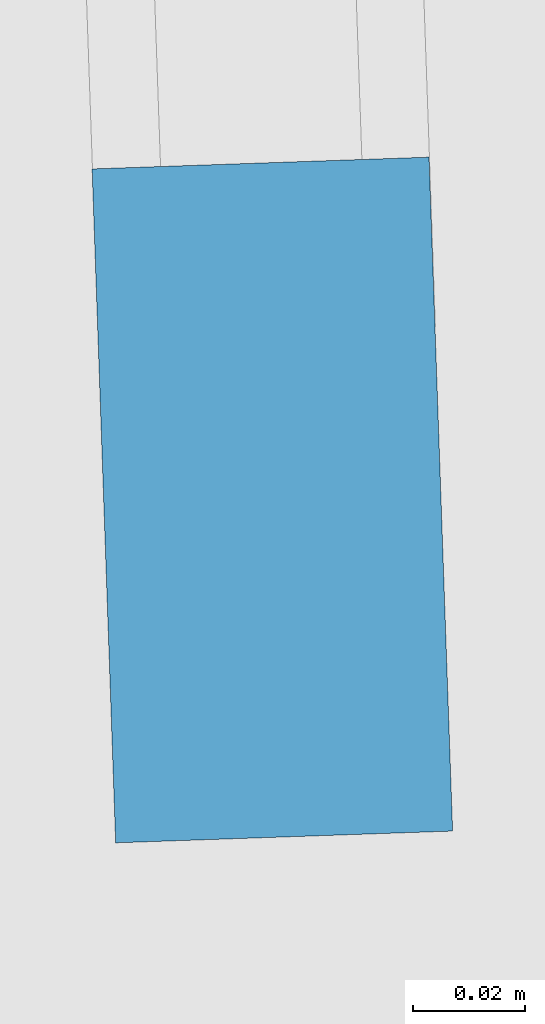
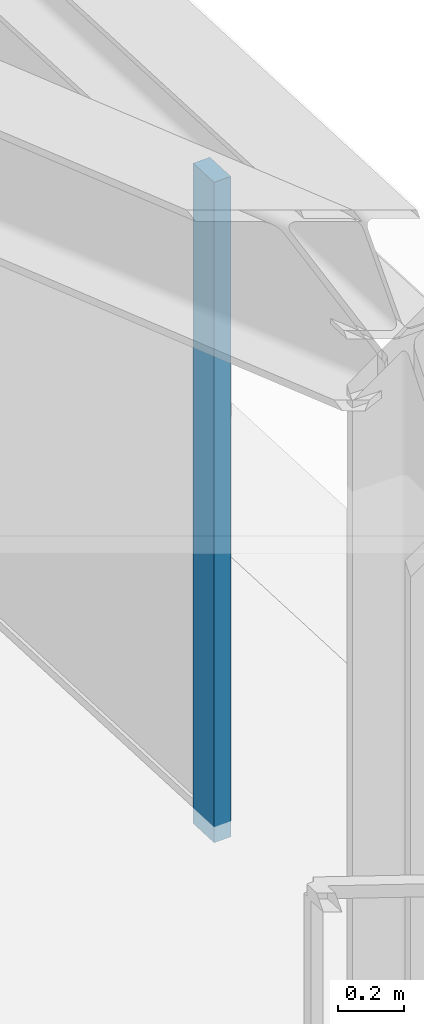
# One storey, part 6 of 13: 1 member, 1 element without a shape of its own.
"""IFC4 building model written with IfcOpenShell, lengths in metres."""

from ifc_helpers import new_model, si_unit, direction, frame, origin, origin_2d, place, context, subcontext, project, spatial, rectangle, extrude, material, layer, layer_set, material_profile, profile_set, type_object, element, aggregate, save


model = new_model("IFC4")

# Units and contexts
model_context = context("Model", 3, precision=1e-05, world=origin(), true_north=direction((0.0, 1.0)))
body_context = subcontext(model_context, "Body", "Model", "MODEL_VIEW")
ifc_project = project(units=[si_unit("LENGTHUNIT", "METRE"), si_unit("AREAUNIT", "SQUARE_METRE"), si_unit("VOLUMEUNIT", "CUBIC_METRE"), si_unit("PLANEANGLEUNIT", "RADIAN"), si_unit("MASSUNIT", "GRAM", prefix="KILO")], contexts=[model_context])

# Site, building, storey
site_placement = place(None, origin())
site = spatial("IfcSite", under=ifc_project, at=site_placement, CompositionType="ELEMENT")
building_placement = place(site_placement, origin())
building = spatial("IfcBuilding", under=site, at=building_placement, Name="Rocaltana Carrier Exchange", CompositionType="ELEMENT")
storey_placement = place(building_placement, frame((0.0, 0.0, 202.719970703125)))
storey = spatial("IfcBuildingStorey", under=building, at=storey_placement, Name="L64", CompositionType="ELEMENT", Elevation=202.719970703125)

# Curtain wall, member
ifc_material_1 = material(Name="Aluminium 6063-T6", Category="aluminium")
ifc_layer = layer(ifc_material_1, 0.1201171875)
ifc_layer_set = layer_set([ifc_layer], Name="Aluminium 6063-T6")
curtain_wall_type = type_object("IfcCurtainWallType", Name="High-Altitude Thermal Curtain Wall CW-05", PredefinedType="NOTDEFINED", material=ifc_layer_set)
curtain_wall_placement = place(storey_placement, origin())
curtain_wall = element("IfcCurtainWall", 1, at=curtain_wall_placement, inside=storey, type_object=curtain_wall_type, Name="L64 CW-05 Run CW-L64-F1S1", PredefinedType="NOTDEFINED")
ifc_material_2 = material(Name="Aluminium 6063-T6", Category="aluminium")
ifc_material_profile = material_profile(ifc_material_2, rectangle(XDim=0.06005859375, YDim=0.1201171875, at=origin_2d()), Name="AL-60X120")
ifc_profile_set = profile_set([ifc_material_profile], Name="Aluminium 6063-T6")
member_type = type_object("IfcMemberType", Name="CW-05 Mullion AL-60X120", PredefinedType="MULLION", material=ifc_profile_set)
member_placement = place(storey_placement, frame((11.421630859375, -15.480712890625, 0.0), z_axis=(0.0, 0.0, 1.0), x_axis=(-0.999390315991, -0.034914127567, 0.0)))
member = element("IfcMember", 2, at=member_placement, type_object=member_type, Name="CW-05 mullion 1", PredefinedType="MULLION", context=body_context, shape_type="SweptSolid", body=[
    extrude(rectangle(XDim=0.06005859375, YDim=0.1201171875, at=origin_2d()), origin(), (0.0, 0.0, 1.0), 2.447998046875),
])
aggregate(curtain_wall, [member])

save(model, "model.ifc")
